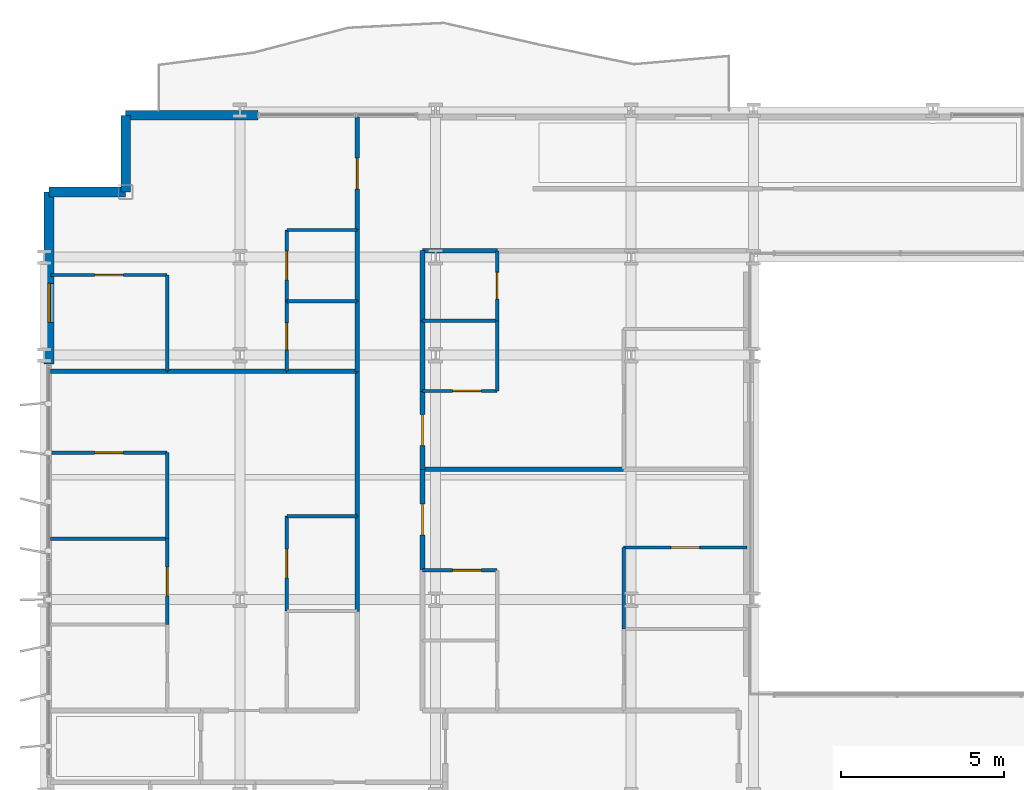
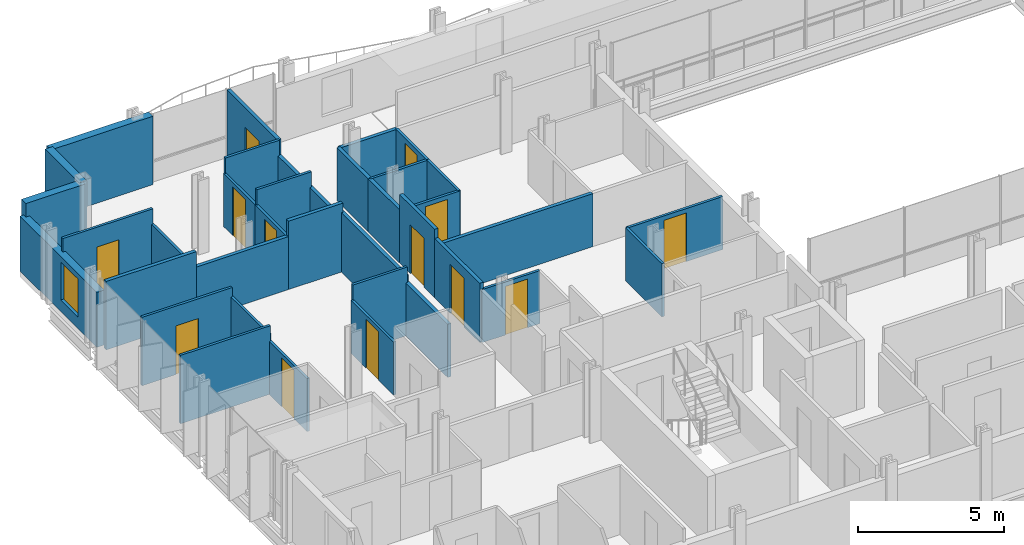
# One storey, part 29 of 39: 37 walls, 13 doors, 1 window, 14 openings.
"""IFC4 building model written with IfcOpenShell, lengths in metres."""

from ifc_helpers import new_model, si_unit, direction, frame, frame_2d, origin, place, context, subcontext, project, spatial, rectangle, extrude, material, layer, layer_set, type_object, element, fill, save


model = new_model("IFC4")

# Units and contexts
model_context = context("Model", 3, precision=1e-05, world=origin(), true_north=direction((0.0, 1.0)))
body_context = subcontext(model_context, "Body", "Model", "MODEL_VIEW")
ifc_project = project(units=[si_unit("LENGTHUNIT", "METRE"), si_unit("AREAUNIT", "SQUARE_METRE"), si_unit("VOLUMEUNIT", "CUBIC_METRE"), si_unit("PLANEANGLEUNIT", "RADIAN"), si_unit("MASSUNIT", "GRAM", prefix="KILO")], contexts=[model_context])

# Site, building, storey
site_placement = place(None, origin())
site = spatial("IfcSite", under=ifc_project, at=site_placement, CompositionType="ELEMENT")
building_placement = place(site_placement, origin())
building = spatial("IfcBuilding", under=site, at=building_placement, Name="Brevholm Reach", CompositionType="ELEMENT")
storey_placement = place(building_placement, frame((0.0, 0.0, 40.39990234375)))
storey = spatial("IfcBuildingStorey", under=building, at=storey_placement, Name="L10", CompositionType="ELEMENT", Elevation=40.39990234375)

# Walls
ifc_material_1 = material(Name="Concrete C40/50", Category="concrete")
ifc_layer_1 = layer(ifc_material_1, 0.300048828125)
ifc_layer_set_1 = layer_set([ifc_layer_1], Name="Concrete C40/50")
wall_type_1 = type_object("IfcWallType", Name="WAL-EXT-300", PredefinedType="STANDARD", material=ifc_layer_set_1)
for number, where, z_axis, x_axis, name in (
    (1, (2.5, 30.85009765625, 0.0), (0.0, 0.0, 1.0), (0.0, -1.0, 0.0), "L10 Facade Wall WAL-L10-CNW1"),
    (2, (2.5, 28.5, 0.0), (0.0, 0.0, 1.0), (-1.0, 0.0, 0.0), "L10 Facade Wall WAL-L10-CNW2"),
):
    element("IfcWall", number, at=place(storey_placement, frame(where, z_axis=z_axis, x_axis=x_axis)), inside=storey, type_object=wall_type_1, Name=name, PredefinedType="STANDARD", context=body_context, shape_type="SweptSolid", body=[
        extrude(rectangle(XDim=2.35009765625, YDim=0.300048828125, at=frame_2d((1.175048828125, 0.0))), origin(), (0.0, 0.0, 1.0), 2.8701171875),
    ])

# Wall, opening, window
wall_1_placement = place(storey_placement, frame((0.14990234375, 28.5, 0.0), z_axis=(0.0, 0.0, 1.0), x_axis=(0.0, -1.0, 0.0)))
wall_1 = element("IfcWall", 3, at=wall_1_placement, inside=storey, type_object=wall_type_1, Name="L10 Facade Wall WAL-L10-W-N", PredefinedType="STANDARD", context=body_context, shape_type="SweptSolid", body=[
    extrude(rectangle(XDim=5.280029296875, YDim=0.300048828125, at=frame_2d((2.64013671875, 0.0))), origin(), (0.0, 0.0, 1.0), 2.3056640625),
])
opening_1_placement = place(wall_1_placement, frame((2.800048828125, 0.0, 0.486083984375)))
opening_1 = element("IfcOpeningElement", 4, at=opening_1_placement, cuts=wall_1, Name="Opening WN-08", PredefinedType="OPENING", context=body_context, shape_type="SweptSolid", body=[
    extrude(rectangle(XDim=1.199951171875, YDim=1.60009765625, at=frame_2d((0.60009765625, 0.800048828125))), frame((0.0, 0.159912109375, 0.0), z_axis=(0.0, -1.0, 0.0), x_axis=(1.0, 0.0, 0.0)), (0.0, 0.0, 1.0), 0.320068359375),
])
ifc_material_2 = material(Name="Dark Anodised Aluminium and Solar-Control IGU Glass", Category="aluminium")
window_type = type_object("IfcWindowType", Name="WIN-RES-1200", PartitioningType="SINGLE_PANEL", PredefinedType="WINDOW", material=ifc_material_2)
window_placement = place(opening_1_placement, origin())
window = element("IfcWindow", 5, at=window_placement, inside=storey, type_object=window_type, Name="L10 Window WIN-L10-WN-1", OverallHeight=1.60009765625, OverallWidth=1.199951171875, PartitioningType="SINGLE_PANEL", PredefinedType="WINDOW", context=body_context, shape_type="SweptSolid", body=[
    extrude(rectangle(XDim=1.199951171875, YDim=1.60009765625, at=frame_2d((0.60009765625, 0.800048828125))), frame((0.0, 0.030029296875, 0.0), z_axis=(0.0, -1.0, 0.0), x_axis=(1.0, 0.0, 0.0)), (0.0, 0.0, 1.0), 0.06005859375),
])
fill(opening_1, window)

# Walls
wall_2_placement = place(storey_placement, frame((2.5, 30.85009765625, 0.0), z_axis=(0.0, 0.0, 1.0), x_axis=(1.0, 0.0, 0.0)))
element("IfcWall", 6, at=wall_2_placement, inside=storey, type_object=wall_type_1, Name="L10 Facade Wall WAL-L10-NP-W0", PredefinedType="STANDARD", context=body_context, shape_type="SweptSolid", body=[
    extrude(rectangle(XDim=4.050048828125, YDim=0.300048828125, at=frame_2d((2.02490234375, 0.0))), origin(), (0.0, 0.0, 1.0), 2.8701171875),
])
ifc_material_3 = material(Name="Moisture-Resistant Acoustic Gypsum Stud Partition 100 mm", Category="gypsum")
ifc_layer_2 = layer(ifc_material_3, 0.10009765625)
ifc_layer_set_2 = layer_set([ifc_layer_2], Name="Moisture-Resistant Acoustic Gypsum Stud Partition 100 mm")
wall_type_2 = type_object("IfcWallType", Name="WAL-PRT-100", PredefinedType="PARTITIONING", material=ifc_layer_set_2)
wall_3_placement = place(storey_placement, frame((7.43798828125, 18.56005859375, 0.0), z_axis=(0.0, 0.0, 1.0), x_axis=(1.0, 0.0, 0.0)))
element("IfcWall", 7, at=wall_3_placement, inside=storey, type_object=wall_type_2, Name="L10 Internal Partition 095", PredefinedType="PARTITIONING", context=body_context, shape_type="SweptSolid", body=[
    extrude(rectangle(XDim=2.157958984375, YDim=0.10009765625, at=frame_2d((1.0791015625, 0.0))), origin(), (0.0, 0.0, 1.0), 2.8701171875),
])

# Wall, opening, door
wall_4_placement = place(storey_placement, frame((7.43798828125, 15.652099609375, 0.0), z_axis=(0.0, 0.0, 1.0), x_axis=(0.0, 1.0, 0.0)))
wall_4 = element("IfcWall", 8, at=wall_4_placement, inside=storey, type_object=wall_type_2, Name="L10 Internal Partition 096", PredefinedType="PARTITIONING", context=body_context, shape_type="SweptSolid", body=[
    extrude(rectangle(XDim=2.907958984375, YDim=0.10009765625, at=frame_2d((1.4541015625, 0.0))), origin(), (0.0, 0.0, 1.0), 2.224853515625),
])
opening_2_placement = place(wall_4_placement, frame((1.013916015625, 0.0, 0.0)))
opening_2 = element("IfcOpeningElement", 9, at=opening_2_placement, cuts=wall_4, Name="Opening ID-01", PredefinedType="OPENING", context=body_context, shape_type="SweptSolid", body=[
    extrude(rectangle(XDim=0.8798828125, YDim=2.0400390625, at=frame_2d((0.43994140625, 1.02001953125))), frame((0.0, 0.06005859375, 0.0), z_axis=(0.0, -1.0, 0.0), x_axis=(1.0, 0.0, 0.0)), (0.0, 0.0, 1.0), 0.1201171875),
])
ifc_material_4 = material(Name="Lacquered Ash Solid-Core Acoustic Internal Door", Category="timber")
door_type_1 = type_object("IfcDoorType", Name="DOR-INT-880", OperationType="NOTDEFINED", PredefinedType="DOOR", material=ifc_material_4)
door_1_placement = place(opening_2_placement, origin())
door_1 = element("IfcDoor", 10, at=door_1_placement, inside=storey, type_object=door_type_1, Name="L10 Internal Door 035", OperationType="SINGLE_SWING_LEFT", OverallHeight=2.0400390625, OverallWidth=0.8798828125, PredefinedType="DOOR", context=body_context, shape_type="SweptSolid", body=[
    extrude(rectangle(XDim=0.8798828125, YDim=2.0400390625, at=frame_2d((0.43994140625, 1.02001953125))), frame((0.0, 0.02490234375, 0.0), z_axis=(0.0, -1.0, 0.0), x_axis=(1.0, 0.0, 0.0)), (0.0, 0.0, 1.0), 0.050048828125),
])
fill(opening_2, door_1)

# Wall
wall_5_placement = place(storey_placement, frame((0.199951171875, 17.8701171875, 0.0), z_axis=(0.0, 0.0, 1.0), x_axis=(1.0, 0.0, 0.0)))
element("IfcWall", 11, at=wall_5_placement, inside=storey, type_object=wall_type_2, Name="L10 Internal Partition 099", PredefinedType="PARTITIONING", context=body_context, shape_type="SweptSolid", body=[
    extrude(rectangle(XDim=3.572021484375, YDim=0.10009765625, at=frame_2d((1.7861328125, 0.0))), origin(), (0.0, 0.0, 1.0), 2.8701171875),
])

# Wall, opening, door
wall_6_placement = place(storey_placement, frame((3.77197265625, 15.239013671875, 0.0), z_axis=(0.0, 0.0, 1.0), x_axis=(0.0, 1.0, 0.0)))
wall_6 = element("IfcWall", 12, at=wall_6_placement, inside=storey, type_object=wall_type_2, Name="L10 Internal Partition 100", PredefinedType="PARTITIONING", context=body_context, shape_type="SweptSolid", body=[
    extrude(rectangle(XDim=2.631103515625, YDim=0.10009765625, at=frame_2d((1.3154296875, 0.0))), origin(), (0.0, 0.0, 1.0), 2.224853515625),
])
opening_3_placement = place(wall_6_placement, frame((0.87548828125, 0.0, 0.0)))
opening_3 = element("IfcOpeningElement", 13, at=opening_3_placement, cuts=wall_6, Name="Opening ID-01", PredefinedType="OPENING", context=body_context, shape_type="SweptSolid", body=[
    extrude(rectangle(XDim=0.8798828125, YDim=2.0400390625, at=frame_2d((0.43994140625, 1.02001953125))), frame((0.0, 0.06005859375, 0.0), z_axis=(0.0, -1.0, 0.0), x_axis=(1.0, 0.0, 0.0)), (0.0, 0.0, 1.0), 0.1201171875),
])
door_2_placement = place(opening_3_placement, origin())
door_2 = element("IfcDoor", 14, at=door_2_placement, inside=storey, type_object=door_type_1, Name="L10 Internal Door 037", OperationType="SINGLE_SWING_LEFT", OverallHeight=2.0400390625, OverallWidth=0.8798828125, PredefinedType="DOOR", context=body_context, shape_type="SweptSolid", body=[
    extrude(rectangle(XDim=0.8798828125, YDim=2.0400390625, at=frame_2d((0.43994140625, 1.02001953125))), frame((0.0, 0.02490234375, 0.0), z_axis=(0.0, -1.0, 0.0), x_axis=(1.0, 0.0, 0.0)), (0.0, 0.0, 1.0), 0.050048828125),
])
fill(opening_3, door_2)

# Wall
wall_7_placement = place(storey_placement, frame((3.77197265625, 17.8740234375, 0.0), z_axis=(0.0, 0.0, 1.0), x_axis=(0.0, 1.0, 0.0)))
element("IfcWall", 15, at=wall_7_placement, inside=storey, type_object=wall_type_2, Name="L10 Internal Partition 101", PredefinedType="PARTITIONING", context=body_context, shape_type="SweptSolid", body=[
    extrude(rectangle(XDim=2.630859375, YDim=0.10009765625, at=frame_2d((1.3154296875, 0.0))), origin(), (0.0, 0.0, 1.0), 2.489990234375),
])

# Wall, opening, door
wall_8_placement = place(storey_placement, frame((0.199951171875, 20.5048828125, 0.0), z_axis=(0.0, 0.0, 1.0), x_axis=(1.0, 0.0, 0.0)))
wall_8 = element("IfcWall", 16, at=wall_8_placement, inside=storey, type_object=wall_type_2, Name="L10 Internal Partition 102", PredefinedType="PARTITIONING", context=body_context, shape_type="SweptSolid", body=[
    extrude(rectangle(XDim=3.572021484375, YDim=0.10009765625, at=frame_2d((1.7861328125, 0.0))), origin(), (0.0, 0.0, 1.0), 2.8701171875),
])
opening_4_placement = place(wall_8_placement, frame((1.345947265625, 0.0, 0.0)))
opening_4 = element("IfcOpeningElement", 17, at=opening_4_placement, cuts=wall_8, Name="Opening ID-01", PredefinedType="OPENING", context=body_context, shape_type="SweptSolid", body=[
    extrude(rectangle(XDim=0.8798828125, YDim=2.0400390625, at=frame_2d((0.43994140625, 1.02001953125))), frame((0.0, 0.06005859375, 0.0), z_axis=(0.0, -1.0, 0.0), x_axis=(1.0, 0.0, 0.0)), (0.0, 0.0, 1.0), 0.1201171875),
])
door_3_placement = place(opening_4_placement, origin())
door_3 = element("IfcDoor", 18, at=door_3_placement, inside=storey, type_object=door_type_1, Name="L10 Internal Door 038", OperationType="SINGLE_SWING_RIGHT", OverallHeight=2.0400390625, OverallWidth=0.8798828125, PredefinedType="DOOR", context=body_context, shape_type="SweptSolid", body=[
    extrude(rectangle(XDim=0.8798828125, YDim=2.0400390625, at=frame_2d((0.43994140625, 1.02001953125))), frame((0.0, 0.02490234375, 0.0), z_axis=(0.0, -1.0, 0.0), x_axis=(1.0, 0.0, 0.0)), (0.0, 0.0, 1.0), 0.050048828125),
])
fill(opening_4, door_3)

# Wall
wall_9_placement = place(storey_placement, frame((7.43798828125, 25.14990234375, 0.0), z_axis=(0.0, 0.0, 1.0), x_axis=(1.0, 0.0, 0.0)))
element("IfcWall", 19, at=wall_9_placement, inside=storey, type_object=wall_type_2, Name="L10 Internal Partition 106", PredefinedType="PARTITIONING", context=body_context, shape_type="SweptSolid", body=[
    extrude(rectangle(XDim=2.157958984375, YDim=0.10009765625, at=frame_2d((1.0791015625, 0.0))), origin(), (0.0, 0.0, 1.0), 2.8701171875),
])

# Wall, opening, door
wall_10_placement = place(storey_placement, frame((7.43798828125, 23.00390625, 0.0), z_axis=(0.0, 0.0, 1.0), x_axis=(0.0, 1.0, 0.0)))
wall_10 = element("IfcWall", 20, at=wall_10_placement, inside=storey, type_object=wall_type_2, Name="L10 Internal Partition 107", PredefinedType="PARTITIONING", context=body_context, shape_type="SweptSolid", body=[
    extrude(rectangle(XDim=2.14599609375, YDim=0.10009765625, at=frame_2d((1.072998046875, 0.0))), origin(), (0.0, 0.0, 1.0), 2.224853515625),
])
opening_5_placement = place(wall_10_placement, frame((0.6630859375, 0.0, 0.0)))
opening_5 = element("IfcOpeningElement", 21, at=opening_5_placement, cuts=wall_10, Name="Opening ID-03", PredefinedType="OPENING", context=body_context, shape_type="SweptSolid", body=[
    extrude(rectangle(XDim=0.820068359375, YDim=2.02001953125, at=frame_2d((0.41015625, 1.010009765625))), frame((0.0, 0.06005859375, 0.0), z_axis=(0.0, -1.0, 0.0), x_axis=(1.0, 0.0, 0.0)), (0.0, 0.0, 1.0), 0.1201171875),
])
ifc_material_5 = material(Name="Moisture-Resistant Painted Timber Internal Bathroom Door", Category="wood")
door_type_2 = type_object("IfcDoorType", Name="DOR-BATH-820", OperationType="NOTDEFINED", PredefinedType="DOOR", material=ifc_material_5)
door_4_placement = place(opening_5_placement, origin())
door_4 = element("IfcDoor", 22, at=door_4_placement, inside=storey, type_object=door_type_2, Name="L10 Internal Door 039", OperationType="SINGLE_SWING_LEFT", OverallHeight=2.02001953125, OverallWidth=0.820068359375, PredefinedType="DOOR", context=body_context, shape_type="SweptSolid", body=[
    extrude(rectangle(XDim=0.820068359375, YDim=2.02001953125, at=frame_2d((0.41015625, 1.010009765625))), frame((0.0, 0.02490234375, 0.0), z_axis=(0.0, -1.0, 0.0), x_axis=(1.0, 0.0, 0.0)), (0.0, 0.0, 1.0), 0.050048828125),
])
fill(opening_5, door_4)

# Wall
wall_11_placement = place(storey_placement, frame((7.43798828125, 27.333984375, 0.0), z_axis=(0.0, 0.0, 1.0), x_axis=(1.0, 0.0, 0.0)))
element("IfcWall", 23, at=wall_11_placement, inside=storey, type_object=wall_type_2, Name="L10 Internal Partition 108", PredefinedType="PARTITIONING", context=body_context, shape_type="SweptSolid", body=[
    extrude(rectangle(XDim=2.157958984375, YDim=0.10009765625, at=frame_2d((1.0791015625, 0.0))), origin(), (0.0, 0.0, 1.0), 2.8701171875),
])

# Wall, opening, door
wall_12_placement = place(storey_placement, frame((7.43798828125, 25.154052734375, 0.0), z_axis=(0.0, 0.0, 1.0), x_axis=(0.0, 1.0, 0.0)))
wall_12 = element("IfcWall", 24, at=wall_12_placement, inside=storey, type_object=wall_type_2, Name="L10 Internal Partition 109", PredefinedType="PARTITIONING", context=body_context, shape_type="SweptSolid", body=[
    extrude(rectangle(XDim=2.179931640625, YDim=0.10009765625, at=frame_2d((1.08984375, 0.0))), origin(), (0.0, 0.0, 1.0), 2.224853515625),
])
opening_6_placement = place(wall_12_placement, frame((0.64990234375, 0.0, 0.0)))
opening_6 = element("IfcOpeningElement", 25, at=opening_6_placement, cuts=wall_12, Name="Opening ID-01", PredefinedType="OPENING", context=body_context, shape_type="SweptSolid", body=[
    extrude(rectangle(XDim=0.8798828125, YDim=2.0400390625, at=frame_2d((0.43994140625, 1.02001953125))), frame((0.0, 0.06005859375, 0.0), z_axis=(0.0, -1.0, 0.0), x_axis=(1.0, 0.0, 0.0)), (0.0, 0.0, 1.0), 0.1201171875),
])
door_5_placement = place(opening_6_placement, origin())
door_5 = element("IfcDoor", 26, at=door_5_placement, inside=storey, type_object=door_type_1, Name="L10 Internal Door 040", OperationType="SINGLE_SWING_RIGHT", OverallHeight=2.0400390625, OverallWidth=0.8798828125, PredefinedType="DOOR", context=body_context, shape_type="SweptSolid", body=[
    extrude(rectangle(XDim=0.8798828125, YDim=2.0400390625, at=frame_2d((0.43994140625, 1.02001953125))), frame((0.0, 0.02490234375, 0.0), z_axis=(0.0, -1.0, 0.0), x_axis=(1.0, 0.0, 0.0)), (0.0, 0.0, 1.0), 0.050048828125),
])
fill(opening_6, door_5)

# Wall
wall_13_placement = place(storey_placement, frame((3.77197265625, 23.00390625, 0.0), z_axis=(0.0, 0.0, 1.0), x_axis=(0.0, 1.0, 0.0)))
element("IfcWall", 27, at=wall_13_placement, inside=storey, type_object=wall_type_2, Name="L10 Internal Partition 110", PredefinedType="PARTITIONING", context=body_context, shape_type="SweptSolid", body=[
    extrude(rectangle(XDim=2.946044921875, YDim=0.10009765625, at=frame_2d((1.47314453125, 0.0))), origin(), (0.0, 0.0, 1.0), 2.224853515625),
])

# Wall, opening, door
wall_14_placement = place(storey_placement, frame((0.199951171875, 25.949951171875, 0.0), z_axis=(0.0, 0.0, 1.0), x_axis=(1.0, 0.0, 0.0)))
wall_14 = element("IfcWall", 28, at=wall_14_placement, inside=storey, type_object=wall_type_2, Name="L10 Internal Partition 111", PredefinedType="PARTITIONING", context=body_context, shape_type="SweptSolid", body=[
    extrude(rectangle(XDim=3.572021484375, YDim=0.10009765625, at=frame_2d((1.7861328125, 0.0))), origin(), (0.0, 0.0, 1.0), 2.8701171875),
])
opening_7_placement = place(wall_14_placement, frame((1.345947265625, 0.0, 0.0)))
opening_7 = element("IfcOpeningElement", 29, at=opening_7_placement, cuts=wall_14, Name="Opening ID-01", PredefinedType="OPENING", context=body_context, shape_type="SweptSolid", body=[
    extrude(rectangle(XDim=0.8798828125, YDim=2.0400390625, at=frame_2d((0.43994140625, 1.02001953125))), frame((0.0, 0.06005859375, 0.0), z_axis=(0.0, -1.0, 0.0), x_axis=(1.0, 0.0, 0.0)), (0.0, 0.0, 1.0), 0.1201171875),
])
door_6_placement = place(opening_7_placement, origin())
door_6 = element("IfcDoor", 30, at=door_6_placement, inside=storey, type_object=door_type_1, Name="L10 Internal Door 041", OperationType="SINGLE_SWING_LEFT", OverallHeight=2.0400390625, OverallWidth=0.8798828125, PredefinedType="DOOR", context=body_context, shape_type="SweptSolid", body=[
    extrude(rectangle(XDim=0.8798828125, YDim=2.0400390625, at=frame_2d((0.43994140625, 1.02001953125))), frame((0.0, 0.02490234375, 0.0), z_axis=(0.0, -1.0, 0.0), x_axis=(1.0, 0.0, 0.0)), (0.0, 0.0, 1.0), 0.050048828125),
])
fill(opening_7, door_6)

wall_15_placement = place(storey_placement, frame((11.60400390625, 16.89990234375, 0.0), z_axis=(0.0, 0.0, 1.0), x_axis=(1.0, 0.0, 0.0)))
wall_15 = element("IfcWall", 31, at=wall_15_placement, inside=storey, type_object=wall_type_2, Name="L10 Internal Partition 115", PredefinedType="PARTITIONING", context=body_context, shape_type="SweptSolid", body=[
    extrude(rectangle(XDim=2.284912109375, YDim=0.10009765625, at=frame_2d((1.142578125, 0.0))), origin(), (0.0, 0.0, 1.0), 2.224853515625),
])
opening_8_placement = place(wall_15_placement, frame((0.922607421875, 0.0, 0.0)))
opening_8 = element("IfcOpeningElement", 32, at=opening_8_placement, cuts=wall_15, Name="Opening ID-01", PredefinedType="OPENING", context=body_context, shape_type="SweptSolid", body=[
    extrude(rectangle(XDim=0.8798828125, YDim=2.0400390625, at=frame_2d((0.43994140625, 1.02001953125))), frame((0.0, 0.06005859375, 0.0), z_axis=(0.0, -1.0, 0.0), x_axis=(1.0, 0.0, 0.0)), (0.0, 0.0, 1.0), 0.1201171875),
])
door_7_placement = place(opening_8_placement, origin())
door_7 = element("IfcDoor", 33, at=door_7_placement, inside=storey, type_object=door_type_1, Name="L10 Internal Door 043", OperationType="SINGLE_SWING_LEFT", OverallHeight=2.0400390625, OverallWidth=0.8798828125, PredefinedType="DOOR", context=body_context, shape_type="SweptSolid", body=[
    extrude(rectangle(XDim=0.8798828125, YDim=2.0400390625, at=frame_2d((0.43994140625, 1.02001953125))), frame((0.0, 0.02490234375, 0.0), z_axis=(0.0, -1.0, 0.0), x_axis=(1.0, 0.0, 0.0)), (0.0, 0.0, 1.0), 0.050048828125),
])
fill(opening_8, door_7)

wall_16_placement = place(storey_placement, frame((17.76904296875, 17.60009765625, 0.0), z_axis=(0.0, 0.0, 1.0), x_axis=(1.0, 0.0, 0.0)))
wall_16 = element("IfcWall", 34, at=wall_16_placement, inside=storey, type_object=wall_type_2, Name="L10 Internal Partition 118", PredefinedType="PARTITIONING", context=body_context, shape_type="SweptSolid", body=[
    extrude(rectangle(XDim=3.781005859375, YDim=0.10009765625, at=frame_2d((1.890625, 0.0))), origin(), (0.0, 0.0, 1.0), 2.224853515625),
])
opening_9_placement = place(wall_16_placement, frame((1.450439453125, 0.0, 0.0)))
opening_9 = element("IfcOpeningElement", 35, at=opening_9_placement, cuts=wall_16, Name="Opening ID-01", PredefinedType="OPENING", context=body_context, shape_type="SweptSolid", body=[
    extrude(rectangle(XDim=0.8798828125, YDim=2.0400390625, at=frame_2d((0.43994140625, 1.02001953125))), frame((0.0, 0.06005859375, 0.0), z_axis=(0.0, -1.0, 0.0), x_axis=(1.0, 0.0, 0.0)), (0.0, 0.0, 1.0), 0.1201171875),
])
door_8_placement = place(opening_9_placement, origin())
door_8 = element("IfcDoor", 36, at=door_8_placement, inside=storey, type_object=door_type_1, Name="L10 Internal Door 045", OperationType="SINGLE_SWING_LEFT", OverallHeight=2.0400390625, OverallWidth=0.8798828125, PredefinedType="DOOR", context=body_context, shape_type="SweptSolid", body=[
    extrude(rectangle(XDim=0.8798828125, YDim=2.0400390625, at=frame_2d((0.43994140625, 1.02001953125))), frame((0.0, 0.02490234375, 0.0), z_axis=(0.0, -1.0, 0.0), x_axis=(1.0, 0.0, 0.0)), (0.0, 0.0, 1.0), 0.050048828125),
])
fill(opening_9, door_8)

# Walls
wall_17_placement = place(storey_placement, frame((17.76904296875, 15.10400390625, 0.0), z_axis=(0.0, 0.0, 1.0), x_axis=(0.0, 1.0, 0.0)))
element("IfcWall", 37, at=wall_17_placement, inside=storey, type_object=wall_type_2, Name="L10 Internal Partition 119", PredefinedType="PARTITIONING", context=body_context, shape_type="SweptSolid", body=[
    extrude(rectangle(XDim=2.49609375, YDim=0.10009765625, at=frame_2d((1.248046875, 0.0))), origin(), (0.0, 0.0, 1.0), 2.224853515625),
])
wall_18_placement = place(storey_placement, frame((11.60400390625, 24.550048828125, 0.0), z_axis=(0.0, 0.0, 1.0), x_axis=(1.0, 0.0, 0.0)))
element("IfcWall", 38, at=wall_18_placement, inside=storey, type_object=wall_type_2, Name="L10 Internal Partition 122", PredefinedType="PARTITIONING", context=body_context, shape_type="SweptSolid", body=[
    extrude(rectangle(XDim=2.284912109375, YDim=0.10009765625, at=frame_2d((1.142578125, 0.0))), origin(), (0.0, 0.0, 1.0), 2.224853515625),
])

# Wall, opening, door
wall_19_placement = place(storey_placement, frame((13.888916015625, 24.550048828125, 0.0), z_axis=(0.0, 0.0, 1.0), x_axis=(0.0, 1.0, 0.0)))
wall_19 = element("IfcWall", 39, at=wall_19_placement, inside=storey, type_object=wall_type_2, Name="L10 Internal Partition 123", PredefinedType="PARTITIONING", context=body_context, shape_type="SweptSolid", body=[
    extrude(rectangle(XDim=2.14599609375, YDim=0.10009765625, at=frame_2d((1.072998046875, 0.0))), origin(), (0.0, 0.0, 1.0), 2.224853515625),
])
opening_10_placement = place(wall_19_placement, frame((0.6630859375, 0.0, 0.0)))
opening_10 = element("IfcOpeningElement", 40, at=opening_10_placement, cuts=wall_19, Name="Opening ID-03", PredefinedType="OPENING", context=body_context, shape_type="SweptSolid", body=[
    extrude(rectangle(XDim=0.820068359375, YDim=2.02001953125, at=frame_2d((0.41015625, 1.010009765625))), frame((0.0, 0.06005859375, 0.0), z_axis=(0.0, -1.0, 0.0), x_axis=(1.0, 0.0, 0.0)), (0.0, 0.0, 1.0), 0.1201171875),
])
door_9_placement = place(opening_10_placement, origin())
door_9 = element("IfcDoor", 41, at=door_9_placement, inside=storey, type_object=door_type_2, Name="L10 Internal Door 046", OperationType="SINGLE_SWING_RIGHT", OverallHeight=2.02001953125, OverallWidth=0.820068359375, PredefinedType="DOOR", context=body_context, shape_type="SweptSolid", body=[
    extrude(rectangle(XDim=0.820068359375, YDim=2.02001953125, at=frame_2d((0.41015625, 1.010009765625))), frame((0.0, 0.02490234375, 0.0), z_axis=(0.0, -1.0, 0.0), x_axis=(1.0, 0.0, 0.0)), (0.0, 0.0, 1.0), 0.050048828125),
])
fill(opening_10, door_9)

wall_20_placement = place(storey_placement, frame((11.60400390625, 22.39990234375, 0.0), z_axis=(0.0, 0.0, 1.0), x_axis=(1.0, 0.0, 0.0)))
wall_20 = element("IfcWall", 42, at=wall_20_placement, inside=storey, type_object=wall_type_2, Name="L10 Internal Partition 124", PredefinedType="PARTITIONING", context=body_context, shape_type="SweptSolid", body=[
    extrude(rectangle(XDim=2.284912109375, YDim=0.10009765625, at=frame_2d((1.142578125, 0.0))), origin(), (0.0, 0.0, 1.0), 2.224853515625),
])
opening_11_placement = place(wall_20_placement, frame((0.922607421875, 0.0, 0.0)))
opening_11 = element("IfcOpeningElement", 43, at=opening_11_placement, cuts=wall_20, Name="Opening ID-01", PredefinedType="OPENING", context=body_context, shape_type="SweptSolid", body=[
    extrude(rectangle(XDim=0.8798828125, YDim=2.0400390625, at=frame_2d((0.43994140625, 1.02001953125))), frame((0.0, 0.06005859375, 0.0), z_axis=(0.0, -1.0, 0.0), x_axis=(1.0, 0.0, 0.0)), (0.0, 0.0, 1.0), 0.1201171875),
])
door_10_placement = place(opening_11_placement, origin())
door_10 = element("IfcDoor", 44, at=door_10_placement, inside=storey, type_object=door_type_1, Name="L10 Internal Door 047", OperationType="SINGLE_SWING_LEFT", OverallHeight=2.0400390625, OverallWidth=0.8798828125, PredefinedType="DOOR", context=body_context, shape_type="SweptSolid", body=[
    extrude(rectangle(XDim=0.8798828125, YDim=2.0400390625, at=frame_2d((0.43994140625, 1.02001953125))), frame((0.0, 0.02490234375, 0.0), z_axis=(0.0, -1.0, 0.0), x_axis=(1.0, 0.0, 0.0)), (0.0, 0.0, 1.0), 0.050048828125),
])
fill(opening_11, door_10)

# Walls
wall_21_placement = place(storey_placement, frame((13.888916015625, 22.39990234375, 0.0), z_axis=(0.0, 0.0, 1.0), x_axis=(0.0, 1.0, 0.0)))
element("IfcWall", 45, at=wall_21_placement, inside=storey, type_object=wall_type_2, Name="L10 Internal Partition 125", PredefinedType="PARTITIONING", context=body_context, shape_type="SweptSolid", body=[
    extrude(rectangle(XDim=2.14599609375, YDim=0.10009765625, at=frame_2d((1.072998046875, 0.0))), origin(), (0.0, 0.0, 1.0), 2.224853515625),
])
ifc_material_6 = material(Name="Twin-Stud Acoustic Fire-Rated Gypsum Partition 140 mm", Category="gypsum")
ifc_layer_3 = layer(ifc_material_6, 0.139892578125)
ifc_layer_set_3 = layer_set([ifc_layer_3], Name="Twin-Stud Acoustic Fire-Rated Gypsum Partition 140 mm")
wall_type_3 = type_object("IfcWallType", Name="WAL-PRT-140", PredefinedType="PARTITIONING", material=ifc_layer_set_3)
wall_22_placement = place(storey_placement, frame((9.60009765625, 15.640625, 0.0), z_axis=(0.0, 0.0, 1.0), x_axis=(0.0, 1.0, 0.0)))
element("IfcWall", 46, at=wall_22_placement, inside=storey, type_object=wall_type_3, Name="L10 Internal Partition 039", PredefinedType="PARTITIONING", context=body_context, shape_type="SweptSolid", body=[
    extrude(rectangle(XDim=2.9306640625, YDim=0.139892578125, at=frame_2d((1.46533203125, 0.0))), origin(), (0.0, 0.0, 1.0), 2.224853515625),
])
wall_23_placement = place(storey_placement, frame((9.60009765625, 18.552734375, 0.0), z_axis=(0.0, 0.0, 1.0), x_axis=(0.0, 1.0, 0.0)))
element("IfcWall", 47, at=wall_23_placement, inside=storey, type_object=wall_type_3, Name="L10 Internal Partition 040", PredefinedType="PARTITIONING", context=body_context, shape_type="SweptSolid", body=[
    extrude(rectangle(XDim=4.45849609375, YDim=0.139892578125, at=frame_2d((2.229248046875, 0.0))), origin(), (0.0, 0.0, 1.0), 2.489990234375),
])
wall_24_placement = place(storey_placement, frame((9.60009765625, 22.99267578125, 0.0), z_axis=(0.0, 0.0, 1.0), x_axis=(0.0, 1.0, 0.0)))
element("IfcWall", 48, at=wall_24_placement, inside=storey, type_object=wall_type_3, Name="L10 Internal Partition 041", PredefinedType="PARTITIONING", context=body_context, shape_type="SweptSolid", body=[
    extrude(rectangle(XDim=2.168701171875, YDim=0.139892578125, at=frame_2d((1.08447265625, 0.0))), origin(), (0.0, 0.0, 1.0), 2.224853515625),
])
wall_25_placement = place(storey_placement, frame((9.60009765625, 25.142578125, 0.0), z_axis=(0.0, 0.0, 1.0), x_axis=(0.0, 1.0, 0.0)))
element("IfcWall", 49, at=wall_25_placement, inside=storey, type_object=wall_type_3, Name="L10 Internal Partition 042", PredefinedType="PARTITIONING", context=body_context, shape_type="SweptSolid", body=[
    extrude(rectangle(XDim=2.20263671875, YDim=0.139892578125, at=frame_2d((1.101318359375, 0.0))), origin(), (0.0, 0.0, 1.0), 2.224853515625),
])

# Wall, opening, door
wall_26_placement = place(storey_placement, frame((9.60009765625, 27.32666015625, 0.0), z_axis=(0.0, 0.0, 1.0), x_axis=(0.0, 1.0, 0.0)))
wall_26 = element("IfcWall", 50, at=wall_26_placement, inside=storey, type_object=wall_type_3, Name="L10 Internal Partition 043", PredefinedType="PARTITIONING", context=body_context, shape_type="SweptSolid", body=[
    extrude(rectangle(XDim=3.473388671875, YDim=0.139892578125, at=frame_2d((1.73681640625, 0.0))), origin(), (0.0, 0.0, 1.0), 2.8701171875),
])
opening_12_placement = place(wall_26_placement, frame((1.26171875, 0.0, 0.0)))
opening_12 = element("IfcOpeningElement", 51, at=opening_12_placement, cuts=wall_26, Name="Opening ID-30", PredefinedType="OPENING", context=body_context, shape_type="SweptSolid", body=[
    extrude(rectangle(XDim=0.949951171875, YDim=2.050048828125, at=frame_2d((0.47509765625, 1.02490234375))), frame((0.0, 0.079833984375, 0.0), z_axis=(0.0, -1.0, 0.0), x_axis=(1.0, 0.0, 0.0)), (0.0, 0.0, 1.0), 0.159912109375),
])
ifc_material_7 = material(Name="European Oak Veneered Solid-Core Fire Entrance Door", Category="timber")
door_type_3 = type_object("IfcDoorType", Name="DOR-FLT-FD30S", OperationType="NOTDEFINED", PredefinedType="DOOR", material=ifc_material_7)
door_11_placement = place(opening_12_placement, origin())
door_11 = element("IfcDoor", 52, at=door_11_placement, inside=storey, type_object=door_type_3, Name="L10 Internal Door 018", OperationType="SINGLE_SWING_RIGHT", OverallHeight=2.050048828125, OverallWidth=0.949951171875, PredefinedType="DOOR", context=body_context, shape_type="SweptSolid", body=[
    extrude(rectangle(XDim=0.949951171875, YDim=2.050048828125, at=frame_2d((0.47509765625, 1.02490234375))), frame((0.0, 0.02490234375, 0.0), z_axis=(0.0, -1.0, 0.0), x_axis=(1.0, 0.0, 0.0)), (0.0, 0.0, 1.0), 0.050048828125),
])
fill(opening_12, door_11)

wall_27_placement = place(storey_placement, frame((11.60009765625, 16.892578125, 0.0), z_axis=(0.0, 0.0, 1.0), x_axis=(0.0, 1.0, 0.0)))
wall_27 = element("IfcWall", 53, at=wall_27_placement, inside=storey, type_object=wall_type_3, Name="L10 Internal Partition 046", PredefinedType="PARTITIONING", context=body_context, shape_type="SweptSolid", body=[
    extrude(rectangle(XDim=3.11865234375, YDim=0.139892578125, at=frame_2d((1.559326171875, 0.0))), origin(), (0.0, 0.0, 1.0), 2.489990234375),
])
opening_13_placement = place(wall_27_placement, frame((1.084228515625, 0.0, 0.0)))
opening_13 = element("IfcOpeningElement", 54, at=opening_13_placement, cuts=wall_27, Name="Opening ID-30", PredefinedType="OPENING", context=body_context, shape_type="SweptSolid", body=[
    extrude(rectangle(XDim=0.949951171875, YDim=2.050048828125, at=frame_2d((0.47509765625, 1.02490234375))), frame((0.0, 0.079833984375, 0.0), z_axis=(0.0, -1.0, 0.0), x_axis=(1.0, 0.0, 0.0)), (0.0, 0.0, 1.0), 0.159912109375),
])
door_12_placement = place(opening_13_placement, origin())
door_12 = element("IfcDoor", 55, at=door_12_placement, inside=storey, type_object=door_type_3, Name="L10 Internal Door 019", OperationType="SINGLE_SWING_LEFT", OverallHeight=2.050048828125, OverallWidth=0.949951171875, PredefinedType="DOOR", context=body_context, shape_type="SweptSolid", body=[
    extrude(rectangle(XDim=0.949951171875, YDim=2.050048828125, at=frame_2d((0.47509765625, 1.02490234375))), frame((0.0, 0.02490234375, 0.0), z_axis=(0.0, -1.0, 0.0), x_axis=(1.0, 0.0, 0.0)), (0.0, 0.0, 1.0), 0.050048828125),
])
fill(opening_13, door_12)

# Walls
wall_28_placement = place(storey_placement, frame((11.60009765625, 24.538818359375, 0.0), z_axis=(0.0, 0.0, 1.0), x_axis=(0.0, 1.0, 0.0)))
element("IfcWall", 56, at=wall_28_placement, inside=storey, type_object=wall_type_3, Name="L10 Internal Partition 047", PredefinedType="PARTITIONING", context=body_context, shape_type="SweptSolid", body=[
    extrude(rectangle(XDim=2.16845703125, YDim=0.139892578125, at=frame_2d((1.084228515625, 0.0))), origin(), (0.0, 0.0, 1.0), 2.224853515625),
])
wall_29_placement = place(storey_placement, frame((11.60009765625, 22.388671875, 0.0), z_axis=(0.0, 0.0, 1.0), x_axis=(0.0, 1.0, 0.0)))
element("IfcWall", 57, at=wall_29_placement, inside=storey, type_object=wall_type_3, Name="L10 Internal Partition 048", PredefinedType="PARTITIONING", context=body_context, shape_type="SweptSolid", body=[
    extrude(rectangle(XDim=2.168701171875, YDim=0.139892578125, at=frame_2d((1.08447265625, 0.0))), origin(), (0.0, 0.0, 1.0), 2.224853515625),
])

# Wall, opening, door
wall_30_placement = place(storey_placement, frame((11.60009765625, 19.99267578125, 0.0), z_axis=(0.0, 0.0, 1.0), x_axis=(0.0, 1.0, 0.0)))
wall_30 = element("IfcWall", 58, at=wall_30_placement, inside=storey, type_object=wall_type_3, Name="L10 Internal Partition 049", PredefinedType="PARTITIONING", context=body_context, shape_type="SweptSolid", body=[
    extrude(rectangle(XDim=2.41455078125, YDim=0.139892578125, at=frame_2d((1.207275390625, 0.0))), origin(), (0.0, 0.0, 1.0), 2.8701171875),
])
opening_14_placement = place(wall_30_placement, frame((0.732421875, 0.0, 0.0)))
opening_14 = element("IfcOpeningElement", 59, at=opening_14_placement, cuts=wall_30, Name="Opening ID-30", PredefinedType="OPENING", context=body_context, shape_type="SweptSolid", body=[
    extrude(rectangle(XDim=0.949951171875, YDim=2.050048828125, at=frame_2d((0.47509765625, 1.02490234375))), frame((0.0, 0.079833984375, 0.0), z_axis=(0.0, -1.0, 0.0), x_axis=(1.0, 0.0, 0.0)), (0.0, 0.0, 1.0), 0.159912109375),
])
door_13_placement = place(opening_14_placement, origin())
door_13 = element("IfcDoor", 60, at=door_13_placement, inside=storey, type_object=door_type_3, Name="L10 Internal Door 020", OperationType="SINGLE_SWING_RIGHT", OverallHeight=2.050048828125, OverallWidth=0.949951171875, PredefinedType="DOOR", context=body_context, shape_type="SweptSolid", body=[
    extrude(rectangle(XDim=0.949951171875, YDim=2.050048828125, at=frame_2d((0.47509765625, 1.02490234375))), frame((0.0, 0.02490234375, 0.0), z_axis=(0.0, -1.0, 0.0), x_axis=(1.0, 0.0, 0.0)), (0.0, 0.0, 1.0), 0.050048828125),
])
fill(opening_14, door_13)

# Walls
wall_31_placement = place(storey_placement, frame((11.60400390625, 26.699951171875, 0.0), z_axis=(0.0, 0.0, 1.0), x_axis=(1.0, 0.0, 0.0)))
element("IfcWall", 61, at=wall_31_placement, inside=storey, type_object=wall_type_3, Name="L10 Internal Partition 060", PredefinedType="PARTITIONING", context=body_context, shape_type="SweptSolid", body=[
    extrude(rectangle(XDim=2.29638671875, YDim=0.139892578125, at=frame_2d((1.148193359375, 0.0))), origin(), (0.0, 0.0, 1.0), 2.224853515625),
])
wall_32_placement = place(storey_placement, frame((7.4267578125, 23.0, 0.0), z_axis=(0.0, 0.0, 1.0), x_axis=(1.0, 0.0, 0.0)))
element("IfcWall", 62, at=wall_32_placement, inside=storey, type_object=wall_type_3, Name="L10 Internal Partition 103", PredefinedType="PARTITIONING", context=body_context, shape_type="SweptSolid", body=[
    extrude(rectangle(XDim=2.169189453125, YDim=0.139892578125, at=frame_2d((1.08447265625, 0.0))), origin(), (0.0, 0.0, 1.0), 2.8701171875),
])
wall_33_placement = place(storey_placement, frame((0.199951171875, 23.0, 0.0), z_axis=(0.0, 0.0, 1.0), x_axis=(1.0, 0.0, 0.0)))
element("IfcWall", 63, at=wall_33_placement, inside=storey, type_object=wall_type_3, Name="L10 Internal Partition 104", PredefinedType="PARTITIONING", context=body_context, shape_type="SweptSolid", body=[
    extrude(rectangle(XDim=3.583251953125, YDim=0.139892578125, at=frame_2d((1.79150390625, 0.0))), origin(), (0.0, 0.0, 1.0), 2.8701171875),
])
wall_34_placement = place(storey_placement, frame((3.7646484375, 23.0, 0.0), z_axis=(0.0, 0.0, 1.0), x_axis=(1.0, 0.0, 0.0)))
element("IfcWall", 64, at=wall_34_placement, inside=storey, type_object=wall_type_3, Name="L10 Internal Partition 105", PredefinedType="PARTITIONING", context=body_context, shape_type="SweptSolid", body=[
    extrude(rectangle(XDim=3.6806640625, YDim=0.139892578125, at=frame_2d((1.84033203125, 0.0))), origin(), (0.0, 0.0, 1.0), 2.224853515625),
])
wall_35_placement = place(storey_placement, frame((11.60400390625, 20.0, 0.0), z_axis=(0.0, 0.0, 1.0), x_axis=(1.0, 0.0, 0.0)))
element("IfcWall", 65, at=wall_35_placement, inside=storey, type_object=wall_type_3, Name="L10 Internal Partition 121", PredefinedType="PARTITIONING", context=body_context, shape_type="SweptSolid", body=[
    extrude(rectangle(XDim=6.17236328125, YDim=0.139892578125, at=frame_2d((3.086181640625, 0.0))), origin(), (0.0, 0.0, 1.0), 2.224853515625),
])

save(model, "model.ifc")
